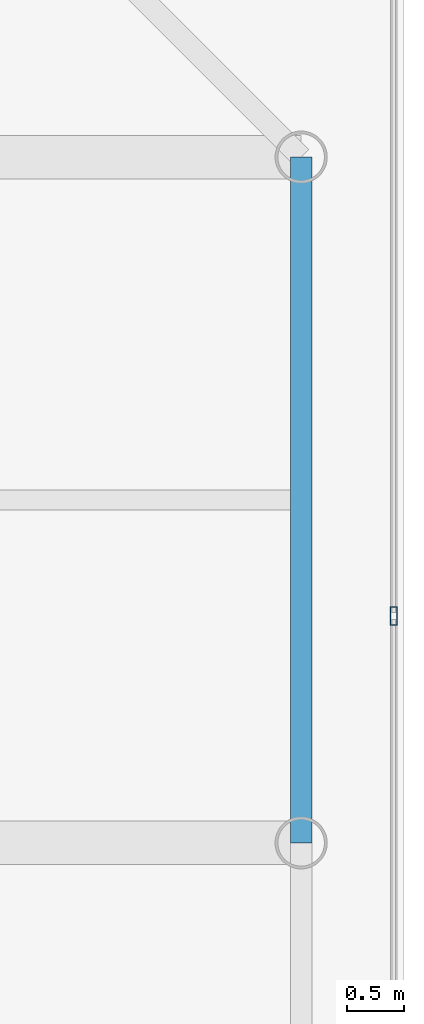
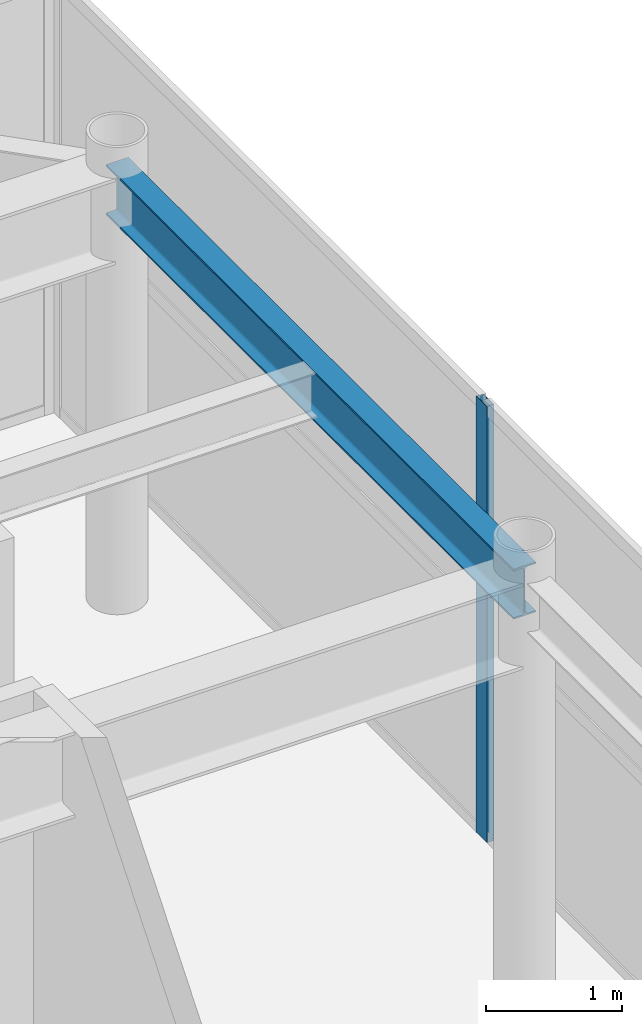
# One storey, part 19 of 33: 1 beam, 1 member, 1 element without a shape of its own.
"""IFC4 building model written with IfcOpenShell, lengths in metres."""

from ifc_helpers import new_model, si_unit, direction, frame, origin, origin_2d, place, context, subcontext, project, spatial, hollow_rectangle, i_section, extrude, source, transform, mapped, material, layer, layer_set, material_profile, profile_set, type_object, element, aggregate, save


model = new_model("IFC4")

# Units and contexts
model_context = context("Model", 3, precision=1e-05, world=origin(), true_north=direction((0.0, 1.0)))
body_context = subcontext(model_context, "Body", "Model", "MODEL_VIEW")
ifc_project = project(units=[si_unit("LENGTHUNIT", "METRE"), si_unit("AREAUNIT", "SQUARE_METRE"), si_unit("VOLUMEUNIT", "CUBIC_METRE"), si_unit("PLANEANGLEUNIT", "RADIAN"), si_unit("MASSUNIT", "GRAM", prefix="KILO")], contexts=[model_context])

# Site, building, storey
site_placement = place(None, origin())
site = spatial("IfcSite", under=ifc_project, at=site_placement, CompositionType="ELEMENT")
building_placement = place(site_placement, origin())
building = spatial("IfcBuilding", under=site, at=building_placement, Name="Khoralis Quay Care Tower", CompositionType="ELEMENT")
storey_placement = place(building_placement, frame((0.0, 0.0, 302.10009765625)))
storey = spatial("IfcBuildingStorey", under=building, at=storey_placement, Name="L79", CompositionType="ELEMENT", Elevation=302.10009765625)

# Beam
ifc_material_1 = material(Name="Steel S355", Category="steel")
ifc_material_profile_1 = material_profile(ifc_material_1, i_section(OverallWidth=0.18994140625, OverallDepth=0.449951171875, WebThickness=0.009521484375, FlangeThickness=0.0146484375, FilletRadius=0.02099609375, at=origin_2d()), Name="Steel S355")
ifc_profile_set_1 = profile_set([ifc_material_profile_1], Name="Steel S355")
beam_type = type_object("IfcBeamType", Name="BM-IPE450", PredefinedType="SPANDREL", material=ifc_profile_set_1)
shared_shape_1 = source(origin(), body_context, "Body", "SweptSolid", [
    extrude(i_section(OverallWidth=0.18994140625, OverallDepth=0.449951171875, WebThickness=0.009521484375, FlangeThickness=0.0146484375, FilletRadius=0.02099609375, at=origin_2d()), origin(), (0.0, 0.0, 1.0), 6.0),
])
beam_placement = place(storey_placement, frame((41.10009765625, 30.0, 3.69482421875), z_axis=(0.0, 1.0, 0.0), x_axis=(-1.0, 0.0, 0.0)))
element("IfcBeam", 1, at=beam_placement, inside=storey, type_object=beam_type, Name="BM-TSP-L79-16", PredefinedType="SPANDREL", context=body_context, shape_type="MappedRepresentation", body=[
    mapped(shared_shape_1, transform((0.0, 0.0, 0.0), scale=1.0)),
])

# Curtain wall, member
ifc_material_2 = material(Name="Pale anodised aluminium", Category="aluminium")
ifc_layer = layer(ifc_material_2, 0.199951171875)
ifc_layer_set = layer_set([ifc_layer], Name="Pale anodised aluminium")
curtain_wall_type = type_object("IfcCurtainWallType", Name="CW-SYS-LANTERN", PredefinedType="NOTDEFINED", material=ifc_layer_set)
curtain_wall_placement = place(storey_placement, origin())
curtain_wall = element("IfcCurtainWall", 2, at=curtain_wall_placement, inside=storey, type_object=curtain_wall_type, Name="L79 Unitised Curtain Wall CW-LN-L79-06", PredefinedType="NOTDEFINED")
ifc_material_profile_2 = material_profile(ifc_material_2, hollow_rectangle(XDim=0.06005859375, YDim=0.159912109375, WallThickness=0.00390625, at=origin_2d()), Name="Pale anodised aluminium")
ifc_profile_set_2 = profile_set([ifc_material_profile_2], Name="Pale anodised aluminium")
member_type = type_object("IfcMemberType", Name="CW-MUL-160", PredefinedType="MULLION", material=ifc_profile_set_2)
shared_shape_2 = source(origin(), body_context, "Body", "SweptSolid", [
    extrude(hollow_rectangle(XDim=0.06005859375, YDim=0.159912109375, WallThickness=0.00390625, at=origin_2d()), origin(), (0.0, 0.0, 1.0), 3.919921875),
])
member_placement = place(storey_placement, frame((41.909912109375, 31.986083984375, 0.0), z_axis=(0.0, 0.0, 1.0), x_axis=(-1.0, 0.0, 0.0)))
member = element("IfcMember", 3, at=member_placement, type_object=member_type, Name="CW5 mullion 5", PredefinedType="MULLION", context=body_context, shape_type="MappedRepresentation", body=[
    mapped(shared_shape_2, transform((0.0, 0.0, 0.0), scale=1.0)),
])
aggregate(curtain_wall, [member])

save(model, "model.ifc")
